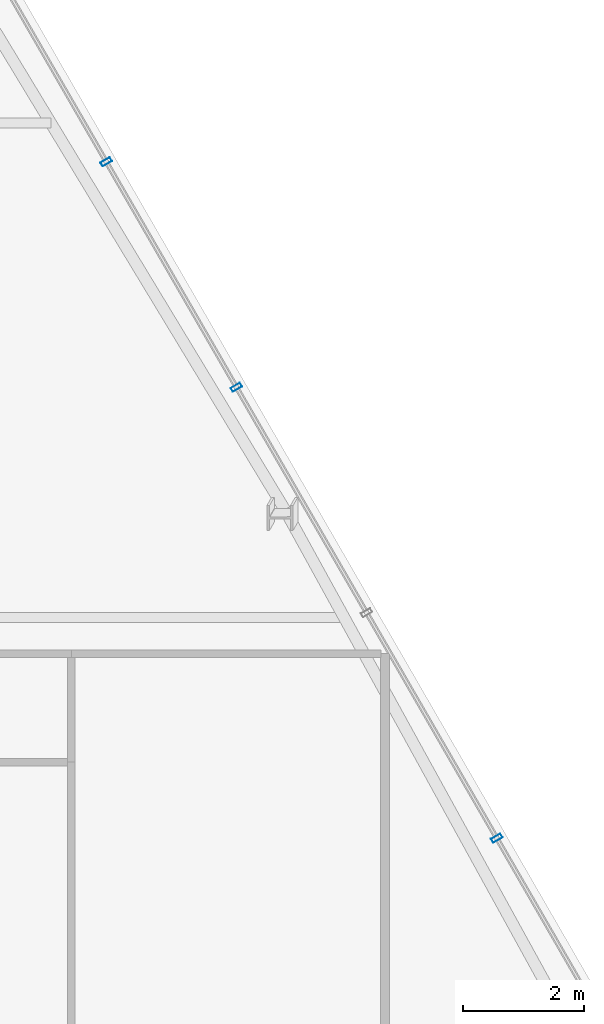
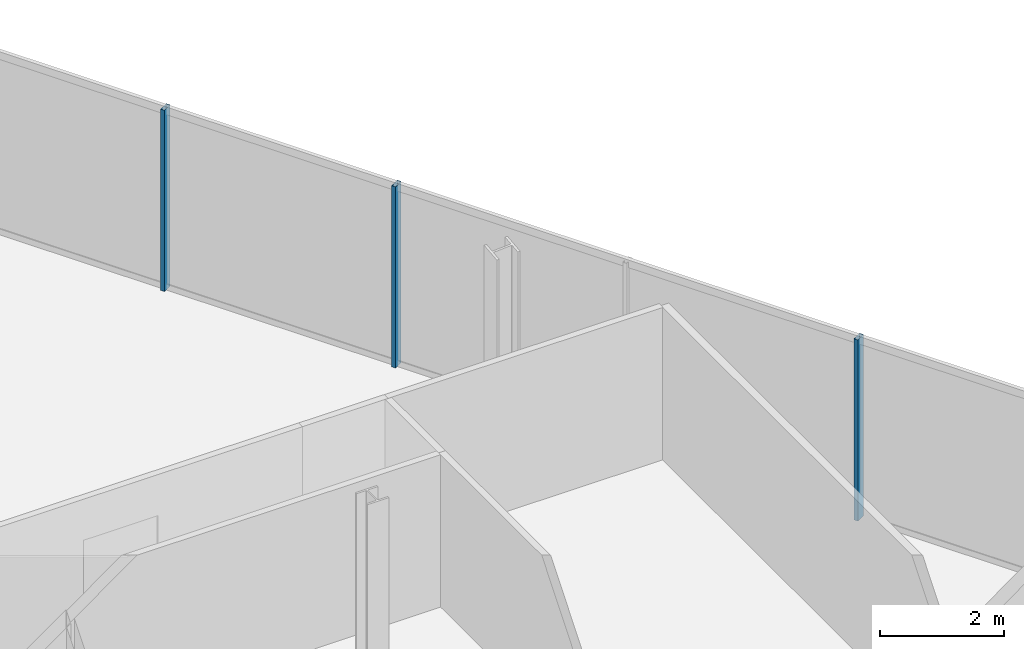
# One storey, part 19 of 30: 3 members, 1 element without a shape of its own.
"""IFC4 building model written with IfcOpenShell, lengths in metres."""

from ifc_helpers import new_model, si_unit, direction, frame, origin, origin_2d, place, context, subcontext, project, spatial, hollow_rectangle, extrude, material, layer, layer_set, material_profile, profile_set, type_object, element, aggregate, save


model = new_model("IFC4")

# Units and contexts
model_context = context("Model", 3, precision=1e-05, world=origin(), true_north=direction((0.0, 1.0)))
body_context = subcontext(model_context, "Body", "Model", "MODEL_VIEW")
ifc_project = project(units=[si_unit("LENGTHUNIT", "METRE"), si_unit("AREAUNIT", "SQUARE_METRE"), si_unit("VOLUMEUNIT", "CUBIC_METRE"), si_unit("PLANEANGLEUNIT", "RADIAN"), si_unit("MASSUNIT", "GRAM", prefix="KILO")], contexts=[model_context])

# Site, building, storey
site_placement = place(None, origin())
site = spatial("IfcSite", under=ifc_project, at=site_placement, CompositionType="ELEMENT")
building_placement = place(site_placement, origin())
building = spatial("IfcBuilding", under=site, at=building_placement, Name="Ndaravel Arena Tower", CompositionType="ELEMENT")
storey_placement = place(building_placement, frame((0.0, 0.0, 225.60009765625)))
storey = spatial("IfcBuildingStorey", under=building, at=storey_placement, Name="L54", CompositionType="ELEMENT", Elevation=225.60009765625)

# Curtain wall, members
ifc_material_1 = material(Name="Aluminium", Category="aluminium")
ifc_layer = layer(ifc_material_1, 0.179931640625)
ifc_layer_set = layer_set([ifc_layer], Name="Aluminium")
curtain_wall_type = type_object("IfcCurtainWallType", Name="CW-SYS-03", PredefinedType="NOTDEFINED", material=ifc_layer_set)
curtain_wall_placement = place(storey_placement, origin())
curtain_wall = element("IfcCurtainWall", 1, at=curtain_wall_placement, inside=storey, type_object=curtain_wall_type, Name="L54 Faceted Crystal Curtain Wall CW-L54-E03", PredefinedType="NOTDEFINED")
ifc_material_2 = material(Name="Aluminium", Category="aluminium")
ifc_material_profile = material_profile(ifc_material_2, hollow_rectangle(XDim=0.074951171875, YDim=0.179931640625, WallThickness=0.00390625, at=origin_2d()), Name="CW MULLION 75x180x4")
ifc_profile_set = profile_set([ifc_material_profile], Name="Aluminium")
member_type = type_object("IfcMemberType", Name="MEM-CW-MUL180", PredefinedType="MULLION", material=ifc_profile_set)
member_1_placement = place(storey_placement, frame((58.857421875, 23.137939453125, 0.0), z_axis=(0.0, 0.0, 1.0), x_axis=(-0.5, 0.866025403784, 0.0)))
member_1 = element("IfcMember", 2, at=member_1_placement, type_object=member_type, Name="CW-L54-E03 Mullion 03", PredefinedType="MULLION", context=body_context, shape_type="SweptSolid", body=[
    extrude(hollow_rectangle(XDim=0.074951171875, YDim=0.179931640625, WallThickness=0.00390625, at=origin_2d()), origin(), (0.0, 0.0, 1.0), 3.579833984375),
])
member_2_placement = place(storey_placement, frame((54.538818359375, 30.617919921875, 0.0), z_axis=(0.0, 0.0, 1.0), x_axis=(-0.5, 0.866025403784, 0.0)))
member_2 = element("IfcMember", 3, at=member_2_placement, type_object=member_type, Name="CW-L54-E03 Mullion 05", PredefinedType="MULLION", context=body_context, shape_type="SweptSolid", body=[
    extrude(hollow_rectangle(XDim=0.074951171875, YDim=0.179931640625, WallThickness=0.00390625, at=origin_2d()), origin(), (0.0, 0.0, 1.0), 3.579833984375),
])
member_3_placement = place(storey_placement, frame((52.379638671875, 34.35791015625, 0.0), z_axis=(0.0, 0.0, 1.0), x_axis=(-0.5, 0.866025403784, 0.0)))
member_3 = element("IfcMember", 4, at=member_3_placement, type_object=member_type, Name="CW-L54-E03 Mullion 06", PredefinedType="MULLION", context=body_context, shape_type="SweptSolid", body=[
    extrude(hollow_rectangle(XDim=0.074951171875, YDim=0.179931640625, WallThickness=0.00390625, at=origin_2d()), origin(), (0.0, 0.0, 1.0), 3.579833984375),
])
aggregate(curtain_wall, [member_1, member_2, member_3])

save(model, "model.ifc")
